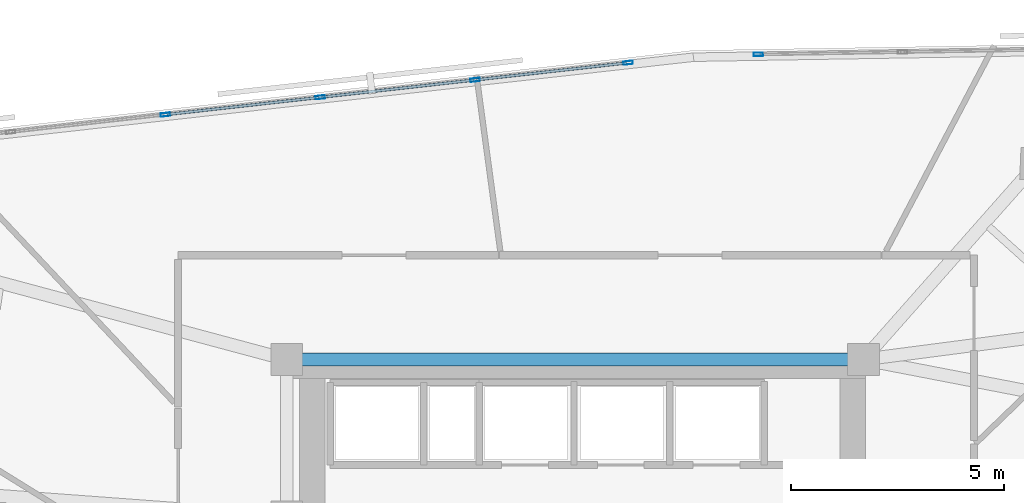
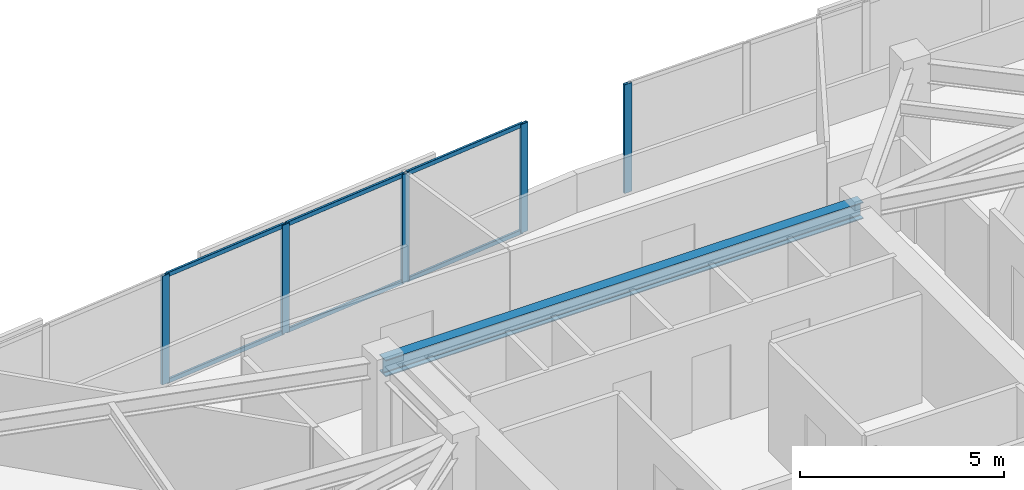
# One storey, part 3 of 11: 11 members, 1 beam, 2 elements without a shape of their own.
"""IFC4 building model written with IfcOpenShell, lengths in metres."""

from ifc_helpers import new_model, si_unit, direction, frame, origin, origin_2d, place, context, subcontext, project, spatial, hollow_rectangle, i_section, extrude, material, material_profile, profile_set, type_object, element, aggregate, save


model = new_model("IFC4")

# Units and contexts
model_context = context("Model", 3, precision=1e-05, world=origin(), true_north=direction((0.0, 1.0)))
body_context = subcontext(model_context, "Body", "Model", "MODEL_VIEW")
ifc_project = project(units=[si_unit("LENGTHUNIT", "METRE"), si_unit("AREAUNIT", "SQUARE_METRE"), si_unit("VOLUMEUNIT", "CUBIC_METRE"), si_unit("PLANEANGLEUNIT", "RADIAN"), si_unit("MASSUNIT", "GRAM", prefix="KILO")], contexts=[model_context])

# Site, building, storey
site_placement = place(None, origin())
site = spatial("IfcSite", under=ifc_project, at=site_placement, CompositionType="ELEMENT")
building_placement = place(site_placement, origin())
building = spatial("IfcBuilding", under=site, at=building_placement, Name="Narakoshi Arena Tower", CompositionType="ELEMENT")
storey_placement = place(building_placement, frame((0.0, 0.0, 285.3798828125)))
storey = spatial("IfcBuildingStorey", under=building, at=storey_placement, Name="L78", CompositionType="ELEMENT", Elevation=285.3798828125)

# Beam
ifc_material_1 = material(Name="Structural steel S355J2", Category="steel")
ifc_material_profile_1 = material_profile(ifc_material_1, i_section(OverallWidth=0.300048828125, OverallDepth=0.5, WebThickness=0.014404296875, FlangeThickness=0.028076171875, FilletRadius=0.027099609375, at=origin_2d()), Name="HE500B")
ifc_profile_set_1 = profile_set([ifc_material_profile_1], Name="Structural steel S355J2")
beam_type = type_object("IfcBeamType", Name="BM-PRI-500", PredefinedType="BEAM", material=ifc_profile_set_1)
beam_placement = place(storey_placement, frame((72.0, 56.5, 3.010009765625), z_axis=(1.0, 0.0, 0.0), x_axis=(0.0, 1.0, 0.0)))
element("IfcBeam", 1, at=beam_placement, inside=storey, type_object=beam_type, Name="L78 Core Perimeter Frame Beam CC5-CC6", PredefinedType="BEAM", context=body_context, shape_type="SweptSolid", body=[
    extrude(i_section(OverallWidth=0.300048828125, OverallDepth=0.5, WebThickness=0.014404296875, FlangeThickness=0.028076171875, FilletRadius=0.027099609375, at=origin_2d()), origin(), (0.0, 0.0, 1.0), 13.550048828125),
])

# Curtain wall, member
ifc_material_2 = material(Name="Anodised bronze aluminium 6063-T6", Category="aluminium")
curtain_wall_type = type_object("IfcCurtainWallType", Name="CW-HYP-HIGH", PredefinedType="NOTDEFINED", material=ifc_material_2)
curtain_wall_1_placement = place(storey_placement, origin())
curtain_wall_1 = element("IfcCurtainWall", 2, at=curtain_wall_1_placement, inside=storey, type_object=curtain_wall_type, Name="L78 Folded Hypotenuse Curtain Wall 1-1", PredefinedType="NOTDEFINED")
ifc_material_profile_2 = material_profile(ifc_material_2, hollow_rectangle(XDim=0.080078125, YDim=0.219970703125, WallThickness=0.0048828125, OuterFilletRadius=0.006103515625, at=origin_2d()), Name="MUL220x80x5")
ifc_profile_set_2 = profile_set([ifc_material_profile_2], Name="Anodised bronze aluminium 6063-T6")
member_type_1 = type_object("IfcMemberType", Name="MEM-MUL-220", PredefinedType="MULLION", material=ifc_profile_set_2)
member_1_placement = place(storey_placement, frame((83.08056640625, 63.668212890625, 0.0), z_axis=(0.0, 0.0, 1.0), x_axis=(0.016442997569, -0.999864804777, 0.0)))
member_1 = element("IfcMember", 3, at=member_1_placement, type_object=member_type_1, Name="CW-03 mullion 9", PredefinedType="MULLION", context=body_context, shape_type="SweptSolid", body=[
    extrude(hollow_rectangle(XDim=0.080078125, YDim=0.219970703125, WallThickness=0.0048828125, OuterFilletRadius=0.006103515625, at=origin_2d()), origin(), (0.0, 0.0, 1.0), 3.260009765625),
])
aggregate(curtain_wall_1, [member_1])

# Curtain wall, members
curtain_wall_2_placement = place(storey_placement, origin())
curtain_wall_2 = element("IfcCurtainWall", 4, at=curtain_wall_2_placement, inside=storey, type_object=curtain_wall_type, Name="L78 Folded Hypotenuse Curtain Wall 2-1", PredefinedType="NOTDEFINED")
member_2_placement = place(storey_placement, frame((80.021728515625, 63.471923828125, 0.0), z_axis=(0.0, 0.0, 1.0), x_axis=(0.111396496086, -0.9937760415, 0.0)))
member_2 = element("IfcMember", 5, at=member_2_placement, type_object=member_type_1, Name="CW-03 mullion 1", PredefinedType="MULLION", context=body_context, shape_type="SweptSolid", body=[
    extrude(hollow_rectangle(XDim=0.080078125, YDim=0.219970703125, WallThickness=0.0048828125, OuterFilletRadius=0.006103515625, at=origin_2d()), origin(), (0.0, 0.0, 1.0), 3.260009765625),
])
member_3_placement = place(storey_placement, frame((76.423828125, 63.06884765625, 0.0), z_axis=(0.0, 0.0, 1.0), x_axis=(0.111396496086, -0.9937760415, 0.0)))
member_3 = element("IfcMember", 6, at=member_3_placement, type_object=member_type_1, Name="CW-03 mullion 2", PredefinedType="MULLION", context=body_context, shape_type="SweptSolid", body=[
    extrude(hollow_rectangle(XDim=0.080078125, YDim=0.219970703125, WallThickness=0.0048828125, OuterFilletRadius=0.006103515625, at=origin_2d()), origin(), (0.0, 0.0, 1.0), 3.260009765625),
])
member_4_placement = place(storey_placement, frame((72.786376953125, 62.660888671875, 0.0), z_axis=(0.0, 0.0, 1.0), x_axis=(0.111396496086, -0.9937760415, 0.0)))
member_4 = element("IfcMember", 7, at=member_4_placement, type_object=member_type_1, Name="CW-03 mullion 3", PredefinedType="MULLION", context=body_context, shape_type="SweptSolid", body=[
    extrude(hollow_rectangle(XDim=0.080078125, YDim=0.219970703125, WallThickness=0.0048828125, OuterFilletRadius=0.006103515625, at=origin_2d()), origin(), (0.0, 0.0, 1.0), 3.260009765625),
])
member_5_placement = place(storey_placement, frame((69.148681640625, 62.253173828125, 0.0), z_axis=(0.0, 0.0, 1.0), x_axis=(0.111396496086, -0.9937760415, 0.0)))
member_5 = element("IfcMember", 8, at=member_5_placement, type_object=member_type_1, Name="CW-03 mullion 4", PredefinedType="MULLION", context=body_context, shape_type="SweptSolid", body=[
    extrude(hollow_rectangle(XDim=0.080078125, YDim=0.219970703125, WallThickness=0.0048828125, OuterFilletRadius=0.006103515625, at=origin_2d()), origin(), (0.0, 0.0, 1.0), 3.260009765625),
])
ifc_material_profile_3 = material_profile(ifc_material_2, hollow_rectangle(XDim=0.06494140625, YDim=0.1298828125, WallThickness=0.00390625, OuterFilletRadius=0.0048828125, at=origin_2d()), Name="TRN130x65x4")
ifc_profile_set_3 = profile_set([ifc_material_profile_3], Name="Anodised bronze aluminium 6063-T6")
member_type_2 = type_object("IfcMemberType", Name="MEM-TRN-130", PredefinedType="USERDEFINED", material=ifc_profile_set_3)
member_6_placement = place(storey_placement, frame((79.98193359375, 63.467529296875, 0.03271484375), z_axis=(-0.993779010945, -0.111370002267, 0.0), x_axis=(0.111370002267, -0.993779010945, 0.0)))
member_6 = element("IfcMember", 9, at=member_6_placement, type_object=member_type_2, Name="CW-03 transom 1.1", ObjectType="TRANSOM", PredefinedType="USERDEFINED", context=body_context, shape_type="SweptSolid", body=[
    extrude(hollow_rectangle(XDim=0.06494140625, YDim=0.1298828125, WallThickness=0.00390625, OuterFilletRadius=0.0048828125, at=origin_2d()), origin(), (0.0, 0.0, 1.0), 3.540283203125),
])
member_7_placement = place(storey_placement, frame((79.98193359375, 63.467529296875, 3.2275390625), z_axis=(-0.993779010945, -0.111370002267, 0.0), x_axis=(0.111370002267, -0.993779010945, 0.0)))
member_7 = element("IfcMember", 10, at=member_7_placement, type_object=member_type_2, Name="CW-03 transom 1.2", ObjectType="TRANSOM", PredefinedType="USERDEFINED", context=body_context, shape_type="SweptSolid", body=[
    extrude(hollow_rectangle(XDim=0.06494140625, YDim=0.1298828125, WallThickness=0.00390625, OuterFilletRadius=0.0048828125, at=origin_2d()), origin(), (0.0, 0.0, 1.0), 3.540283203125),
])
member_8_placement = place(storey_placement, frame((76.38427734375, 63.064208984375, 0.03271484375), z_axis=(-0.993781025425, -0.111352025149, 0.0), x_axis=(0.111352025149, -0.993781025425, 0.0)))
member_8 = element("IfcMember", 11, at=member_8_placement, type_object=member_type_2, Name="CW-03 transom 2.1", ObjectType="TRANSOM", PredefinedType="USERDEFINED", context=body_context, shape_type="SweptSolid", body=[
    extrude(hollow_rectangle(XDim=0.06494140625, YDim=0.1298828125, WallThickness=0.00390625, OuterFilletRadius=0.0048828125, at=origin_2d()), origin(), (0.0, 0.0, 1.0), 3.580322265625),
])
member_9_placement = place(storey_placement, frame((76.38427734375, 63.064208984375, 3.2275390625), z_axis=(-0.993781025425, -0.111352025149, 0.0), x_axis=(0.111352025149, -0.993781025425, 0.0)))
member_9 = element("IfcMember", 12, at=member_9_placement, type_object=member_type_2, Name="CW-03 transom 2.2", ObjectType="TRANSOM", PredefinedType="USERDEFINED", context=body_context, shape_type="SweptSolid", body=[
    extrude(hollow_rectangle(XDim=0.06494140625, YDim=0.1298828125, WallThickness=0.00390625, OuterFilletRadius=0.0048828125, at=origin_2d()), origin(), (0.0, 0.0, 1.0), 3.580322265625),
])
member_10_placement = place(storey_placement, frame((72.74658203125, 62.656494140625, 0.03271484375), z_axis=(-0.993781025425, -0.111352025149, 0.0), x_axis=(0.111352025149, -0.993781025425, 0.0)))
member_10 = element("IfcMember", 13, at=member_10_placement, type_object=member_type_2, Name="CW-03 transom 3.1", ObjectType="TRANSOM", PredefinedType="USERDEFINED", context=body_context, shape_type="SweptSolid", body=[
    extrude(hollow_rectangle(XDim=0.06494140625, YDim=0.1298828125, WallThickness=0.00390625, OuterFilletRadius=0.0048828125, at=origin_2d()), origin(), (0.0, 0.0, 1.0), 3.580322265625),
])
member_11_placement = place(storey_placement, frame((72.74658203125, 62.656494140625, 3.2275390625), z_axis=(-0.993781025425, -0.111352025149, 0.0), x_axis=(0.111352025149, -0.993781025425, 0.0)))
member_11 = element("IfcMember", 14, at=member_11_placement, type_object=member_type_2, Name="CW-03 transom 3.2", ObjectType="TRANSOM", PredefinedType="USERDEFINED", context=body_context, shape_type="SweptSolid", body=[
    extrude(hollow_rectangle(XDim=0.06494140625, YDim=0.1298828125, WallThickness=0.00390625, OuterFilletRadius=0.0048828125, at=origin_2d()), origin(), (0.0, 0.0, 1.0), 3.580322265625),
])
aggregate(curtain_wall_2, [member_2, member_3, member_4, member_5, member_6, member_7, member_8, member_9, member_10, member_11])

save(model, "model.ifc")
